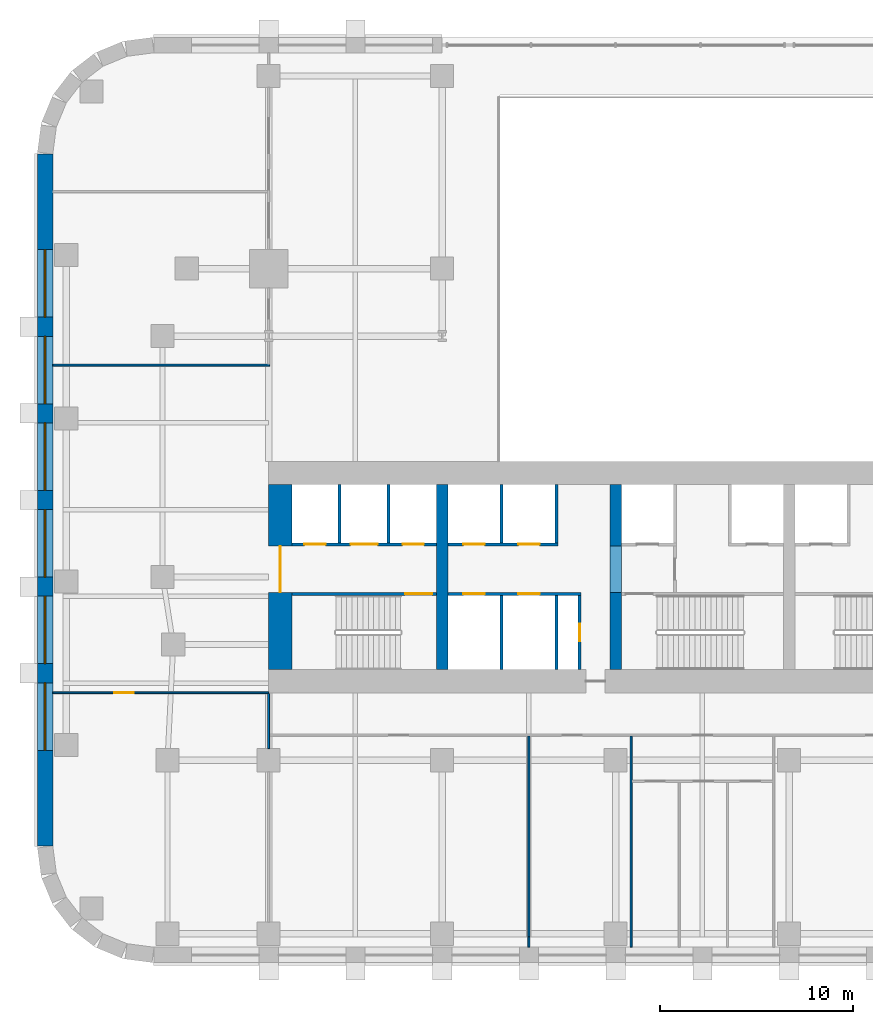
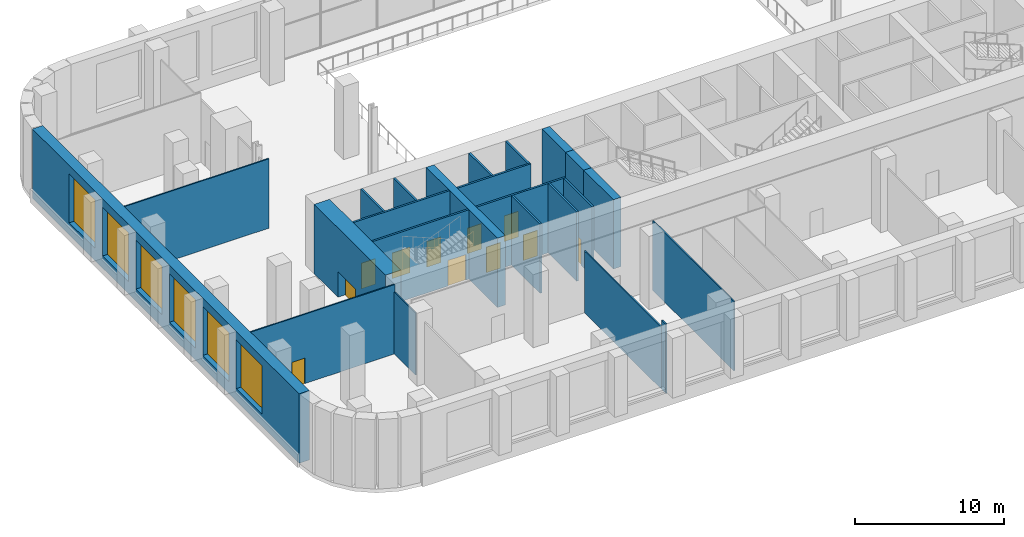
# One storey, part 4 of 13: 23 walls, 11 doors, 6 windows, 17 openings.
"""IFC4 building model written with IfcOpenShell, lengths in metres."""

from ifc_helpers import new_model, si_unit, direction, frame, frame_2d, origin, place, context, subcontext, project, spatial, rectangle, extrude, material, layer, layer_set, type_object, element, fill, save


model = new_model("IFC4")

# Units and contexts
model_context = context("Model", 3, precision=1e-05, world=origin(), true_north=direction((0.0, 1.0)))
body_context = subcontext(model_context, "Body", "Model", "MODEL_VIEW")
ifc_project = project(units=[si_unit("LENGTHUNIT", "METRE"), si_unit("AREAUNIT", "SQUARE_METRE"), si_unit("VOLUMEUNIT", "CUBIC_METRE"), si_unit("PLANEANGLEUNIT", "RADIAN"), si_unit("MASSUNIT", "GRAM", prefix="KILO")], contexts=[model_context])

# Site, building, storey
site_placement = place(None, origin())
site = spatial("IfcSite", under=ifc_project, at=site_placement, CompositionType="ELEMENT")
building_placement = place(site_placement, origin())
building = spatial("IfcBuilding", under=site, at=building_placement, Name="Zellij Exchange Tower", CompositionType="ELEMENT")
storey_placement = place(building_placement, frame((0.0, 0.0, 15.0)))
storey = spatial("IfcBuildingStorey", under=building, at=storey_placement, Name="L02", CompositionType="ELEMENT", Elevation=15.0)

# Walls
ifc_material_1 = material(Name="Concrete C70/85", Category="concrete")
ifc_layer_1 = layer(ifc_material_1, 0.60009765625)
ifc_layer_set_1 = layer_set([ifc_layer_1], Name="Concrete C70/85")
wall_type_1 = type_object("IfcWallType", Name="CORE-CW 600 C70/85", PredefinedType="SHEAR", material=ifc_layer_set_1)
wall_1_placement = place(storey_placement, frame((-18.0, -12.800048828125, 0.0), z_axis=(0.0, 0.0, 1.0), x_axis=(0.0, 1.0, 0.0)))
element("IfcWall", 1, at=wall_1_placement, inside=storey, type_object=wall_type_1, Name="Core cross wall x -18 L02", PredefinedType="SHEAR", context=body_context, shape_type="SweptSolid", body=[
    extrude(rectangle(XDim=9.60009765625, YDim=0.60009765625, at=frame_2d((4.800048828125, 0.0))), origin(), (0.0, 0.0, 1.0), 5.699951171875),
])
wall_2_placement = place(storey_placement, frame((-9.0, -12.800048828125, 0.0), z_axis=(0.0, 0.0, 1.0), x_axis=(0.0, 1.0, 0.0)))
element("IfcWall", 2, at=wall_2_placement, inside=storey, type_object=wall_type_1, Name="Core cross wall pier x -9 a L02", PredefinedType="SHEAR", context=body_context, shape_type="SweptSolid", body=[
    extrude(rectangle(XDim=4.0, YDim=0.60009765625, at=frame_2d((2.0, 0.0))), origin(), (0.0, 0.0, 1.0), 5.699951171875),
])
wall_3_placement = place(storey_placement, frame((-9.0, -6.375, 0.0), z_axis=(0.0, 0.0, 1.0), x_axis=(0.0, 1.0, 0.0)))
element("IfcWall", 3, at=wall_3_placement, inside=storey, type_object=wall_type_1, Name="Core cross wall pier x -9 b L02", PredefinedType="SHEAR", context=body_context, shape_type="SweptSolid", body=[
    extrude(rectangle(XDim=3.175048828125, YDim=0.60009765625, at=frame_2d((1.58740234375, 0.0))), origin(), (0.0, 0.0, 1.0), 5.699951171875),
])
wall_4_placement = place(storey_placement, frame((-9.0, -8.800048828125, 3.60009765625), z_axis=(0.0, 0.0, 1.0), x_axis=(0.0, 1.0, 0.0)))
element("IfcWall", 4, at=wall_4_placement, inside=storey, type_object=wall_type_1, Name="Core cross wall over opening x -9 L02", PredefinedType="SHEAR", context=body_context, shape_type="SweptSolid", body=[
    extrude(rectangle(XDim=2.425048828125, YDim=0.60009765625, at=frame_2d((1.21240234375, 0.0))), origin(), (0.0, 0.0, 1.0), 2.099853515625),
])

# Wall, opening, door
ifc_material_2 = material(Name="Gypsum board partition")
ifc_layer_2 = layer(ifc_material_2, 0.14990234375)
ifc_layer_set_2 = layer_set([ifc_layer_2], Name="Gypsum board partition")
wall_type_2 = type_object("IfcWallType", Name="CORE-PW 150 Lift lobby wall", PredefinedType="PARTITIONING", material=ifc_layer_set_2)
wall_5_placement = place(storey_placement, frame((-10.875, -12.800048828125, 0.0), z_axis=(0.0, 0.0, 1.0), x_axis=(0.0, 1.0, 0.0)))
wall_5 = element("IfcWall", 5, at=wall_5_placement, inside=storey, type_object=wall_type_2, Name="Lift lobby wall L02", PredefinedType="PARTITIONING", context=body_context, shape_type="SweptSolid", body=[
    extrude(rectangle(XDim=3.85009765625, YDim=0.14990234375, at=frame_2d((1.925048828125, 0.0))), origin(), (0.0, 0.0, 1.0), 5.699951171875),
])
opening_1_placement = place(wall_5_placement, frame((1.47509765625, 0.0, 0.0)))
opening_1 = element("IfcOpeningElement", 6, at=opening_1_placement, cuts=wall_5, Name="Opening CA-04.10", PredefinedType="OPENING", context=body_context, shape_type="SweptSolid", body=[
    extrude(rectangle(XDim=0.89990234375, YDim=2.10009765625, at=frame_2d((0.449951171875, 1.050048828125))), frame((0.0, 0.0869140625, 0.0), z_axis=(0.0, -1.0, 0.0), x_axis=(1.0, 0.0, 0.0)), (0.0, 0.0, 1.0), 0.173828125),
])
ifc_material_3 = material(Name="Hollow metal fire door")
door_type_1 = type_object("IfcDoorType", Name="CORE-D RD Riser door 900x2100 1.5 HR", OperationType="NOTDEFINED", PredefinedType="DOOR", material=ifc_material_3)
door_1_placement = place(opening_1_placement, origin())
door_1 = element("IfcDoor", 7, at=door_1_placement, inside=storey, type_object=door_type_1, Name="Riser door CA-04.10", OperationType="SINGLE_SWING_RIGHT", OverallHeight=2.10009765625, OverallWidth=0.89990234375, PredefinedType="DOOR", context=body_context, shape_type="SweptSolid", body=[
    extrude(rectangle(XDim=0.89990234375, YDim=2.10009765625, at=frame_2d((0.449951171875, 1.050048828125))), frame((0.0, 0.02490234375, 0.0), z_axis=(0.0, -1.0, 0.0), x_axis=(1.0, 0.0, 0.0)), (0.0, 0.0, 1.0), 0.050048828125),
])
fill(opening_1, door_1)

# Walls
ifc_material_4 = material(Name="Gypsum shaft wall system")
ifc_layer_3 = layer(ifc_material_4, 0.14990234375)
ifc_layer_set_3 = layer_set([ifc_layer_3], Name="Gypsum shaft wall system")
wall_type_3 = type_object("IfcWallType", Name="CORE-PW 150 Lift shaft wall", PredefinedType="PARTITIONING", material=ifc_layer_set_3)
for number, where, z_axis, x_axis, name in (
    (8, (-20.77490234375, -6.22509765625, 0.0), (0.0, 0.0, 1.0), (0.0, 1.0, 0.0), "Lift shaft wall L02"),
    (9, (-23.324951171875, -6.22509765625, 0.0), (0.0, 0.0, 1.0), (0.0, 1.0, 0.0), "Lift shaft wall L02"),
    (10, (-12.074951171875, -6.22509765625, 0.0), (0.0, 0.0, 1.0), (0.0, 1.0, 0.0), "Lift shaft wall L02"),
    (11, (-14.925048828125, -6.22509765625, 0.0), (0.0, 0.0, 1.0), (0.0, 1.0, 0.0), "Lift shaft wall L02"),
):
    element("IfcWall", number, at=place(storey_placement, frame(where, z_axis=z_axis, x_axis=x_axis)), inside=storey, type_object=wall_type_3, Name=name, PredefinedType="PARTITIONING", context=body_context, shape_type="SweptSolid", body=[
        extrude(rectangle(XDim=3.025146484375, YDim=0.14990234375, at=frame_2d((1.5126953125, 0.0))), origin(), (0.0, 0.0, 1.0), 5.699951171875),
    ])
for number, where, z_axis, x_axis, name in (
    (12, (-12.074951171875, -12.800048828125, 0.0), (0.0, 0.0, 1.0), (0.0, 1.0, 0.0), "Lift shaft wall L02"),
    (13, (-14.925048828125, -12.800048828125, 0.0), (0.0, 0.0, 1.0), (0.0, 1.0, 0.0), "Lift shaft wall L02"),
):
    element("IfcWall", number, at=place(storey_placement, frame(where, z_axis=z_axis, x_axis=x_axis)), inside=storey, type_object=wall_type_3, Name=name, PredefinedType="PARTITIONING", context=body_context, shape_type="SweptSolid", body=[
        extrude(rectangle(XDim=3.85009765625, YDim=0.14990234375, at=frame_2d((1.925048828125, 0.0))), origin(), (0.0, 0.0, 1.0), 5.699951171875),
    ])

# Wall, openings, doors
wall_6_placement = place(storey_placement, frame((-25.800048828125, -6.300048828125, 0.0), z_axis=(0.0, 0.0, 1.0), x_axis=(1.0, 0.0, 0.0)))
wall_6 = element("IfcWall", 14, at=wall_6_placement, inside=storey, type_object=wall_type_3, Name="Lift shaft wall L02", PredefinedType="PARTITIONING", context=body_context, shape_type="SweptSolid", body=[
    extrude(rectangle(XDim=7.5, YDim=0.14990234375, at=frame_2d((3.75, 0.0))), origin(), (0.0, 0.0, 1.0), 5.699951171875),
])
opening_2_placement = place(wall_6_placement, frame((0.64990234375, 0.0, 0.0)))
opening_2 = element("IfcOpeningElement", 15, at=opening_2_placement, cuts=wall_6, Name="Opening CA-04.02", PredefinedType="OPENING", context=body_context, shape_type="SweptSolid", body=[
    extrude(rectangle(XDim=1.10009765625, YDim=2.10009765625, at=frame_2d((0.550048828125, 1.050048828125))), frame((0.0, 0.0869140625, 0.0), z_axis=(0.0, -1.0, 0.0), x_axis=(1.0, 0.0, 0.0)), (0.0, 0.0, 1.0), 0.173828125),
])
opening_3_placement = place(wall_6_placement, frame((3.050048828125, 0.0, 0.0)))
opening_3 = element("IfcOpeningElement", 16, at=opening_3_placement, cuts=wall_6, Name="Opening CA-04.03", PredefinedType="OPENING", context=body_context, shape_type="SweptSolid", body=[
    extrude(rectangle(XDim=1.39990234375, YDim=2.10009765625, at=frame_2d((0.699951171875, 1.050048828125))), frame((0.0, 0.0869140625, 0.0), z_axis=(0.0, -1.0, 0.0), x_axis=(1.0, 0.0, 0.0)), (0.0, 0.0, 1.0), 0.173828125),
])
opening_4_placement = place(wall_6_placement, frame((5.75, 0.0, 0.0)))
opening_4 = element("IfcOpeningElement", 17, at=opening_4_placement, cuts=wall_6, Name="Opening CA-04.04", PredefinedType="OPENING", context=body_context, shape_type="SweptSolid", body=[
    extrude(rectangle(XDim=1.10009765625, YDim=2.10009765625, at=frame_2d((0.550048828125, 1.050048828125))), frame((0.0, 0.0869140625, 0.0), z_axis=(0.0, -1.0, 0.0), x_axis=(1.0, 0.0, 0.0)), (0.0, 0.0, 1.0), 0.173828125),
])
door_type_2 = type_object("IfcDoorType", Name="CORE-D LD Lift landing door 1100x2100 1.5 HR", OperationType="NOTDEFINED", PredefinedType="DOOR", material=ifc_material_3)
door_2_placement = place(opening_2_placement, origin())
door_2 = element("IfcDoor", 18, at=door_2_placement, inside=storey, type_object=door_type_2, Name="Lift landing door CA-04.02", OperationType="SLIDING_TO_RIGHT", OverallHeight=2.10009765625, OverallWidth=1.10009765625, PredefinedType="DOOR", context=body_context, shape_type="SweptSolid", body=[
    extrude(rectangle(XDim=1.10009765625, YDim=2.10009765625, at=frame_2d((0.550048828125, 1.050048828125))), frame((0.0, 0.02490234375, 0.0), z_axis=(0.0, -1.0, 0.0), x_axis=(1.0, 0.0, 0.0)), (0.0, 0.0, 1.0), 0.050048828125),
])
fill(opening_2, door_2)
door_3_placement = place(opening_4_placement, origin())
door_3 = element("IfcDoor", 19, at=door_3_placement, inside=storey, type_object=door_type_2, Name="Lift landing door CA-04.04", OperationType="SLIDING_TO_RIGHT", OverallHeight=2.10009765625, OverallWidth=1.10009765625, PredefinedType="DOOR", context=body_context, shape_type="SweptSolid", body=[
    extrude(rectangle(XDim=1.10009765625, YDim=2.10009765625, at=frame_2d((0.550048828125, 1.050048828125))), frame((0.0, 0.02490234375, 0.0), z_axis=(0.0, -1.0, 0.0), x_axis=(1.0, 0.0, 0.0)), (0.0, 0.0, 1.0), 0.050048828125),
])
fill(opening_4, door_3)
door_type_3 = type_object("IfcDoorType", Name="CORE-D LD2 Service lift landing door 1400x2100 1.5 HR", OperationType="NOTDEFINED", PredefinedType="DOOR", material=ifc_material_3)
door_4_placement = place(opening_3_placement, origin())
door_4 = element("IfcDoor", 20, at=door_4_placement, inside=storey, type_object=door_type_3, Name="Service lift landing door CA-04.03", OperationType="SLIDING_TO_LEFT", OverallHeight=2.10009765625, OverallWidth=1.39990234375, PredefinedType="DOOR", context=body_context, shape_type="SweptSolid", body=[
    extrude(rectangle(XDim=1.39990234375, YDim=2.10009765625, at=frame_2d((0.699951171875, 1.050048828125))), frame((0.0, 0.02490234375, 0.0), z_axis=(0.0, -1.0, 0.0), x_axis=(1.0, 0.0, 0.0)), (0.0, 0.0, 1.0), 0.050048828125),
])
fill(opening_3, door_4)

wall_7_placement = place(storey_placement, frame((-17.699951171875, -6.300048828125, 0.0), z_axis=(0.0, 0.0, 1.0), x_axis=(1.0, 0.0, 0.0)))
wall_7 = element("IfcWall", 21, at=wall_7_placement, inside=storey, type_object=wall_type_3, Name="Lift shaft wall L02", PredefinedType="PARTITIONING", context=body_context, shape_type="SweptSolid", body=[
    extrude(rectangle(XDim=5.699951171875, YDim=0.14990234375, at=frame_2d((2.85009765625, 0.0))), origin(), (0.0, 0.0, 1.0), 5.699951171875),
])
opening_5_placement = place(wall_7_placement, frame((0.800048828125, 0.0, 0.0)))
opening_5 = element("IfcOpeningElement", 22, at=opening_5_placement, cuts=wall_7, Name="Opening CA-04.07", PredefinedType="OPENING", context=body_context, shape_type="SweptSolid", body=[
    extrude(rectangle(XDim=1.10009765625, YDim=2.10009765625, at=frame_2d((0.550048828125, 1.050048828125))), frame((0.0, 0.0869140625, 0.0), z_axis=(0.0, -1.0, 0.0), x_axis=(1.0, 0.0, 0.0)), (0.0, 0.0, 1.0), 0.173828125),
])
opening_6_placement = place(wall_7_placement, frame((3.64990234375, 0.0, 0.0)))
opening_6 = element("IfcOpeningElement", 23, at=opening_6_placement, cuts=wall_7, Name="Opening CA-04.09", PredefinedType="OPENING", context=body_context, shape_type="SweptSolid", body=[
    extrude(rectangle(XDim=1.10009765625, YDim=2.10009765625, at=frame_2d((0.550048828125, 1.050048828125))), frame((0.0, 0.0869140625, 0.0), z_axis=(0.0, -1.0, 0.0), x_axis=(1.0, 0.0, 0.0)), (0.0, 0.0, 1.0), 0.173828125),
])
door_5_placement = place(opening_5_placement, origin())
door_5 = element("IfcDoor", 24, at=door_5_placement, inside=storey, type_object=door_type_2, Name="Lift landing door CA-04.07", OperationType="SLIDING_TO_LEFT", OverallHeight=2.10009765625, OverallWidth=1.10009765625, PredefinedType="DOOR", context=body_context, shape_type="SweptSolid", body=[
    extrude(rectangle(XDim=1.10009765625, YDim=2.10009765625, at=frame_2d((0.550048828125, 1.050048828125))), frame((0.0, 0.02490234375, 0.0), z_axis=(0.0, -1.0, 0.0), x_axis=(1.0, 0.0, 0.0)), (0.0, 0.0, 1.0), 0.050048828125),
])
fill(opening_5, door_5)
door_6_placement = place(opening_6_placement, origin())
door_6 = element("IfcDoor", 25, at=door_6_placement, inside=storey, type_object=door_type_2, Name="Lift landing door CA-04.09", OperationType="SLIDING_TO_LEFT", OverallHeight=2.10009765625, OverallWidth=1.10009765625, PredefinedType="DOOR", context=body_context, shape_type="SweptSolid", body=[
    extrude(rectangle(XDim=1.10009765625, YDim=2.10009765625, at=frame_2d((0.550048828125, 1.050048828125))), frame((0.0, 0.02490234375, 0.0), z_axis=(0.0, -1.0, 0.0), x_axis=(1.0, 0.0, 0.0)), (0.0, 0.0, 1.0), 0.050048828125),
])
fill(opening_6, door_6)

wall_8_placement = place(storey_placement, frame((-17.699951171875, -8.875, 0.0), z_axis=(0.0, 0.0, 1.0), x_axis=(1.0, 0.0, 0.0)))
wall_8 = element("IfcWall", 26, at=wall_8_placement, inside=storey, type_object=wall_type_3, Name="Lift shaft wall L02", PredefinedType="PARTITIONING", context=body_context, shape_type="SweptSolid", body=[
    extrude(rectangle(XDim=6.89990234375, YDim=0.14990234375, at=frame_2d((3.449951171875, 0.0))), origin(), (0.0, 0.0, 1.0), 5.699951171875),
])
opening_7_placement = place(wall_8_placement, frame((0.800048828125, 0.0, 0.0)))
opening_7 = element("IfcOpeningElement", 27, at=opening_7_placement, cuts=wall_8, Name="Opening CA-04.06", PredefinedType="OPENING", context=body_context, shape_type="SweptSolid", body=[
    extrude(rectangle(XDim=1.10009765625, YDim=2.10009765625, at=frame_2d((0.550048828125, 1.050048828125))), frame((0.0, 0.0869140625, 0.0), z_axis=(0.0, -1.0, 0.0), x_axis=(1.0, 0.0, 0.0)), (0.0, 0.0, 1.0), 0.173828125),
])
opening_8_placement = place(wall_8_placement, frame((3.64990234375, 0.0, 0.0)))
opening_8 = element("IfcOpeningElement", 28, at=opening_8_placement, cuts=wall_8, Name="Opening CA-04.08", PredefinedType="OPENING", context=body_context, shape_type="SweptSolid", body=[
    extrude(rectangle(XDim=1.10009765625, YDim=2.10009765625, at=frame_2d((0.550048828125, 1.050048828125))), frame((0.0, 0.0869140625, 0.0), z_axis=(0.0, -1.0, 0.0), x_axis=(1.0, 0.0, 0.0)), (0.0, 0.0, 1.0), 0.173828125),
])
door_7_placement = place(opening_7_placement, origin())
door_7 = element("IfcDoor", 29, at=door_7_placement, inside=storey, type_object=door_type_2, Name="Lift landing door CA-04.06", OperationType="SLIDING_TO_RIGHT", OverallHeight=2.10009765625, OverallWidth=1.10009765625, PredefinedType="DOOR", context=body_context, shape_type="SweptSolid", body=[
    extrude(rectangle(XDim=1.10009765625, YDim=2.10009765625, at=frame_2d((0.550048828125, 1.050048828125))), frame((0.0, 0.02490234375, 0.0), z_axis=(0.0, -1.0, 0.0), x_axis=(1.0, 0.0, 0.0)), (0.0, 0.0, 1.0), 0.050048828125),
])
fill(opening_7, door_7)
door_8_placement = place(opening_8_placement, origin())
door_8 = element("IfcDoor", 30, at=door_8_placement, inside=storey, type_object=door_type_2, Name="Lift landing door CA-04.08", OperationType="SLIDING_TO_RIGHT", OverallHeight=2.10009765625, OverallWidth=1.10009765625, PredefinedType="DOOR", context=body_context, shape_type="SweptSolid", body=[
    extrude(rectangle(XDim=1.10009765625, YDim=2.10009765625, at=frame_2d((0.550048828125, 1.050048828125))), frame((0.0, 0.02490234375, 0.0), z_axis=(0.0, -1.0, 0.0), x_axis=(1.0, 0.0, 0.0)), (0.0, 0.0, 1.0), 0.050048828125),
])
fill(opening_8, door_8)

# Wall, opening, door
ifc_layer_4 = layer(ifc_material_1, 1.199951171875)
ifc_layer_set_4 = layer_set([ifc_layer_4], Name="Concrete C70/85")
wall_type_4 = type_object("IfcWallType", Name="CORE-SW 1200 C70/85", PredefinedType="SHEAR", material=ifc_layer_set_4)
wall_9_placement = place(storey_placement, frame((-26.39990234375, -12.800048828125, 0.0), z_axis=(0.0, 0.0, 1.0), x_axis=(0.0, 1.0, 0.0)))
wall_9 = element("IfcWall", 31, at=wall_9_placement, inside=storey, type_object=wall_type_4, Name="Core shear wall end w L02", PredefinedType="SHEAR", context=body_context, shape_type="SweptSolid", body=[
    extrude(rectangle(XDim=9.60009765625, YDim=1.199951171875, at=frame_2d((4.800048828125, 0.0))), origin(), (0.0, 0.0, 1.0), 5.699951171875),
])
opening_9_placement = place(wall_9_placement, frame((4.011962890625, 0.0, 0.0)))
opening_9 = element("IfcOpeningElement", 32, at=opening_9_placement, cuts=wall_9, Name="Opening CA-04.01", PredefinedType="OPENING", context=body_context, shape_type="SweptSolid", body=[
    extrude(rectangle(XDim=2.39990234375, YDim=2.10009765625, at=frame_2d((1.199951171875, 1.050048828125))), frame((0.0, 0.61181640625, 0.0), z_axis=(0.0, -1.0, 0.0), x_axis=(1.0, 0.0, 0.0)), (0.0, 0.0, 1.0), 1.223876953125),
])
door_type_4 = type_object("IfcDoorType", Name="CORE-D CE Core entrance door 2400x2100 20 MIN", OperationType="NOTDEFINED", PredefinedType="DOOR", material=ifc_material_3)
door_9_placement = place(opening_9_placement, origin())
door_9 = element("IfcDoor", 33, at=door_9_placement, inside=storey, type_object=door_type_4, Name="Core entrance door CA-04.01", OperationType="DOUBLE_DOOR_SINGLE_SWING", OverallHeight=2.10009765625, OverallWidth=2.39990234375, PredefinedType="DOOR", context=body_context, shape_type="SweptSolid", body=[
    extrude(rectangle(XDim=2.39990234375, YDim=2.10009765625, at=frame_2d((1.199951171875, 1.050048828125))), frame((0.0, 0.02490234375, 0.0), z_axis=(0.0, -1.0, 0.0), x_axis=(1.0, 0.0, 0.0)), (0.0, 0.0, 1.0), 0.050048828125),
])
fill(opening_9, door_9)

ifc_layer_5 = layer(ifc_material_1, 0.14990234375)
ifc_layer_set_5 = layer_set([ifc_layer_5], Name="Concrete C70/85")
wall_type_5 = type_object("IfcWallType", Name="CORE-SWS 150 C70/85", PredefinedType="SHEAR", material=ifc_layer_set_5)
wall_10_placement = place(storey_placement, frame((-25.800048828125, -8.875, 0.0), z_axis=(0.0, 0.0, 1.0), x_axis=(1.0, 0.0, 0.0)))
wall_10 = element("IfcWall", 34, at=wall_10_placement, inside=storey, type_object=wall_type_5, Name="Stair enclosure wall L02", PredefinedType="SHEAR", context=body_context, shape_type="SweptSolid", body=[
    extrude(rectangle(XDim=7.5, YDim=0.14990234375, at=frame_2d((3.75, 0.0))), origin(), (0.0, 0.0, 1.0), 5.699951171875),
])
opening_10_placement = place(wall_10_placement, frame((5.875, 0.0, 0.0)))
opening_10 = element("IfcOpeningElement", 35, at=opening_10_placement, cuts=wall_10, Name="Opening CA-04.05", PredefinedType="OPENING", context=body_context, shape_type="SweptSolid", body=[
    extrude(rectangle(XDim=1.39990234375, YDim=2.10009765625, at=frame_2d((0.699951171875, 1.050048828125))), frame((0.0, 0.0869140625, 0.0), z_axis=(0.0, -1.0, 0.0), x_axis=(1.0, 0.0, 0.0)), (0.0, 0.0, 1.0), 0.173828125),
])
door_type_5 = type_object("IfcDoorType", Name="CORE-D SD Stair door 1400x2100 1.5 HR", OperationType="NOTDEFINED", PredefinedType="DOOR", material=ifc_material_3)
door_10_placement = place(opening_10_placement, origin())
door_10 = element("IfcDoor", 36, at=door_10_placement, inside=storey, type_object=door_type_5, Name="Stair door CA-04.05", OperationType="DOUBLE_DOOR_SINGLE_SWING", OverallHeight=2.10009765625, OverallWidth=1.39990234375, PredefinedType="DOOR", context=body_context, shape_type="SweptSolid", body=[
    extrude(rectangle(XDim=1.39990234375, YDim=2.10009765625, at=frame_2d((0.699951171875, 1.050048828125))), frame((0.0, 0.02490234375, 0.0), z_axis=(0.0, -1.0, 0.0), x_axis=(1.0, 0.0, 0.0)), (0.0, 0.0, 1.0), 0.050048828125),
])
fill(opening_10, door_10)

# Wall, openings, windows
ifc_material_5 = material(Name="Precast concrete C40/50", Category="concrete")
ifc_layer_6 = layer(ifc_material_5, 0.800048828125)
ifc_layer_set_6 = layer_set([ifc_layer_6], Name="Precast concrete C40/50")
wall_type_6 = type_object("IfcWallType", Name="ENV-EW1 Precast stone-piered wall 800", PredefinedType="SOLIDWALL", material=ifc_layer_set_6)
wall_11_placement = place(storey_placement, frame((-38.60009765625, 13.947509765625, 0.0), z_axis=(0.0, 0.0, 1.0), x_axis=(0.0, -1.0, 0.0)))
wall_11 = element("IfcWall", 37, at=wall_11_placement, inside=storey, type_object=wall_type_6, Name="fac.L02.21", PredefinedType="SOLIDWALL", context=body_context, shape_type="SweptSolid", body=[
    extrude(rectangle(XDim=35.89501953125, YDim=0.800048828125, at=frame_2d((17.947509765625, 0.0))), origin(), (0.0, 0.0, 1.0), 5.699951171875),
])
opening_11_placement = place(wall_11_placement, frame((4.9638671875, 0.0, 1.0)))
opening_11 = element("IfcOpeningElement", 38, at=opening_11_placement, cuts=wall_11, Name="Opening FP.27", PredefinedType="OPENING", context=body_context, shape_type="SweptSolid", body=[
    extrude(rectangle(XDim=3.5, YDim=4.0, at=frame_2d((1.75, 2.0))), frame((0.0, 0.412109375, 0.0), z_axis=(0.0, -1.0, 0.0), x_axis=(1.0, 0.0, 0.0)), (0.0, 0.0, 1.0), 0.823974609375),
])
opening_12_placement = place(wall_11_placement, frame((9.45751953125, 0.0, 1.0)))
opening_12 = element("IfcOpeningElement", 39, at=opening_12_placement, cuts=wall_11, Name="Opening FP.28", PredefinedType="OPENING", context=body_context, shape_type="SweptSolid", body=[
    extrude(rectangle(XDim=3.5, YDim=4.0, at=frame_2d((1.75, 2.0))), frame((0.0, 0.412109375, 0.0), z_axis=(0.0, -1.0, 0.0), x_axis=(1.0, 0.0, 0.0)), (0.0, 0.0, 1.0), 0.823974609375),
])
opening_13_placement = place(wall_11_placement, frame((13.950927734375, 0.0, 1.0)))
opening_13 = element("IfcOpeningElement", 40, at=opening_13_placement, cuts=wall_11, Name="Opening FP.29", PredefinedType="OPENING", context=body_context, shape_type="SweptSolid", body=[
    extrude(rectangle(XDim=3.5, YDim=4.0, at=frame_2d((1.75, 2.0))), frame((0.0, 0.412109375, 0.0), z_axis=(0.0, -1.0, 0.0), x_axis=(1.0, 0.0, 0.0)), (0.0, 0.0, 1.0), 0.823974609375),
])
opening_14_placement = place(wall_11_placement, frame((18.4443359375, 0.0, 1.0)))
opening_14 = element("IfcOpeningElement", 41, at=opening_14_placement, cuts=wall_11, Name="Opening FP.30", PredefinedType="OPENING", context=body_context, shape_type="SweptSolid", body=[
    extrude(rectangle(XDim=3.5, YDim=4.0, at=frame_2d((1.75, 2.0))), frame((0.0, 0.412109375, 0.0), z_axis=(0.0, -1.0, 0.0), x_axis=(1.0, 0.0, 0.0)), (0.0, 0.0, 1.0), 0.823974609375),
])
opening_15_placement = place(wall_11_placement, frame((22.937744140625, 0.0, 1.0)))
opening_15 = element("IfcOpeningElement", 42, at=opening_15_placement, cuts=wall_11, Name="Opening FP.31", PredefinedType="OPENING", context=body_context, shape_type="SweptSolid", body=[
    extrude(rectangle(XDim=3.5, YDim=4.0, at=frame_2d((1.75, 2.0))), frame((0.0, 0.412109375, 0.0), z_axis=(0.0, -1.0, 0.0), x_axis=(1.0, 0.0, 0.0)), (0.0, 0.0, 1.0), 0.823974609375),
])
opening_16_placement = place(wall_11_placement, frame((27.43115234375, 0.0, 1.0)))
opening_16 = element("IfcOpeningElement", 43, at=opening_16_placement, cuts=wall_11, Name="Opening FP.32", PredefinedType="OPENING", context=body_context, shape_type="SweptSolid", body=[
    extrude(rectangle(XDim=3.5, YDim=4.0, at=frame_2d((1.75, 2.0))), frame((0.0, 0.412109375, 0.0), z_axis=(0.0, -1.0, 0.0), x_axis=(1.0, 0.0, 0.0)), (0.0, 0.0, 1.0), 0.823974609375),
])
ifc_material_6 = material(Name="Aluminium frame with insulating glass", Category="aluminium")
window_type = type_object("IfcWindowType", Name="ENV-W2 Window 3500x4000", PartitioningType="SINGLE_PANEL", PredefinedType="WINDOW", material=ifc_material_6)
window_1_placement = place(opening_11_placement, origin())
window_1 = element("IfcWindow", 44, at=window_1_placement, inside=storey, type_object=window_type, Name="Window FP.27", OverallHeight=4.0, OverallWidth=3.5, PartitioningType="SINGLE_PANEL", PredefinedType="WINDOW", context=body_context, shape_type="SweptSolid", body=[
    extrude(rectangle(XDim=3.5, YDim=4.0, at=frame_2d((1.75, 2.0))), frame((0.0, 0.030029296875, 0.0), z_axis=(0.0, -1.0, 0.0), x_axis=(1.0, 0.0, 0.0)), (0.0, 0.0, 1.0), 0.06005859375),
])
fill(opening_11, window_1)
window_2_placement = place(opening_12_placement, origin())
window_2 = element("IfcWindow", 45, at=window_2_placement, inside=storey, type_object=window_type, Name="Window FP.28", OverallHeight=4.0, OverallWidth=3.5, PartitioningType="SINGLE_PANEL", PredefinedType="WINDOW", context=body_context, shape_type="SweptSolid", body=[
    extrude(rectangle(XDim=3.5, YDim=4.0, at=frame_2d((1.75, 2.0))), frame((0.0, 0.030029296875, 0.0), z_axis=(0.0, -1.0, 0.0), x_axis=(1.0, 0.0, 0.0)), (0.0, 0.0, 1.0), 0.06005859375),
])
fill(opening_12, window_2)
window_3_placement = place(opening_13_placement, origin())
window_3 = element("IfcWindow", 46, at=window_3_placement, inside=storey, type_object=window_type, Name="Window FP.29", OverallHeight=4.0, OverallWidth=3.5, PartitioningType="SINGLE_PANEL", PredefinedType="WINDOW", context=body_context, shape_type="SweptSolid", body=[
    extrude(rectangle(XDim=3.5, YDim=4.0, at=frame_2d((1.75, 2.0))), frame((0.0, 0.030029296875, 0.0), z_axis=(0.0, -1.0, 0.0), x_axis=(1.0, 0.0, 0.0)), (0.0, 0.0, 1.0), 0.06005859375),
])
fill(opening_13, window_3)
window_4_placement = place(opening_14_placement, origin())
window_4 = element("IfcWindow", 47, at=window_4_placement, inside=storey, type_object=window_type, Name="Window FP.30", OverallHeight=4.0, OverallWidth=3.5, PartitioningType="SINGLE_PANEL", PredefinedType="WINDOW", context=body_context, shape_type="SweptSolid", body=[
    extrude(rectangle(XDim=3.5, YDim=4.0, at=frame_2d((1.75, 2.0))), frame((0.0, 0.030029296875, 0.0), z_axis=(0.0, -1.0, 0.0), x_axis=(1.0, 0.0, 0.0)), (0.0, 0.0, 1.0), 0.06005859375),
])
fill(opening_14, window_4)
window_5_placement = place(opening_15_placement, origin())
window_5 = element("IfcWindow", 48, at=window_5_placement, inside=storey, type_object=window_type, Name="Window FP.31", OverallHeight=4.0, OverallWidth=3.5, PartitioningType="SINGLE_PANEL", PredefinedType="WINDOW", context=body_context, shape_type="SweptSolid", body=[
    extrude(rectangle(XDim=3.5, YDim=4.0, at=frame_2d((1.75, 2.0))), frame((0.0, 0.030029296875, 0.0), z_axis=(0.0, -1.0, 0.0), x_axis=(1.0, 0.0, 0.0)), (0.0, 0.0, 1.0), 0.06005859375),
])
fill(opening_15, window_5)
window_6_placement = place(opening_16_placement, origin())
window_6 = element("IfcWindow", 49, at=window_6_placement, inside=storey, type_object=window_type, Name="Window FP.32", OverallHeight=4.0, OverallWidth=3.5, PartitioningType="SINGLE_PANEL", PredefinedType="WINDOW", context=body_context, shape_type="SweptSolid", body=[
    extrude(rectangle(XDim=3.5, YDim=4.0, at=frame_2d((1.75, 2.0))), frame((0.0, 0.030029296875, 0.0), z_axis=(0.0, -1.0, 0.0), x_axis=(1.0, 0.0, 0.0)), (0.0, 0.0, 1.0), 0.06005859375),
])
fill(opening_16, window_6)

# Walls
ifc_material_7 = material(Name="Gypsum board partition on steel studs", Category="steel")
ifc_layer_7 = layer(ifc_material_7, 0.10009765625)
ifc_layer_set_7 = layer_set([ifc_layer_7], Name="Gypsum board partition on steel studs")
wall_type_7 = type_object("IfcWallType", Name="FIT-PARTITION-100", PredefinedType="PARTITIONING", material=ifc_layer_set_7)
wall_12_placement = place(storey_placement, frame((-27.0, -16.89990234375, 0.0), z_axis=(0.0, 0.0, 1.0), x_axis=(0.0, 1.0, 0.0)))
element("IfcWall", 50, at=wall_12_placement, inside=storey, type_object=wall_type_7, Name="FIT-PARTITION-100 002", PredefinedType="PARTITIONING", context=body_context, shape_type="SweptSolid", body=[
    extrude(rectangle(XDim=2.849853515625, YDim=0.10009765625, at=frame_2d((1.4248046875, 0.0))), origin(), (0.0, 0.0, 1.0), 5.087890625),
])
wall_13_placement = place(storey_placement, frame((-13.5, -27.199951171875, 0.0), z_axis=(0.0, 0.0, 1.0), x_axis=(0.0, 1.0, 0.0)))
element("IfcWall", 51, at=wall_13_placement, inside=storey, type_object=wall_type_7, Name="FIT-PARTITION-100 003", PredefinedType="PARTITIONING", context=body_context, shape_type="SweptSolid", body=[
    extrude(rectangle(XDim=0.537353515625, YDim=0.10009765625, at=frame_2d((0.2685546875, 0.0))), origin(), (0.0, 0.0, 1.0), 5.699951171875),
])
wall_14_placement = place(storey_placement, frame((-13.5, -26.66259765625, 0.0), z_axis=(0.0, 0.0, 1.0), x_axis=(0.0, 1.0, 0.0)))
element("IfcWall", 52, at=wall_14_placement, inside=storey, type_object=wall_type_7, Name="FIT-PARTITION-100 004", PredefinedType="PARTITIONING", context=body_context, shape_type="SweptSolid", body=[
    extrude(rectangle(XDim=10.41259765625, YDim=0.10009765625, at=frame_2d((5.206298828125, 0.0))), origin(), (0.0, 0.0, 1.0), 5.087890625),
])
wall_15_placement = place(storey_placement, frame((-8.199951171875, -27.199951171875, 0.0), z_axis=(0.0, 0.0, 1.0), x_axis=(0.0, 1.0, 0.0)))
element("IfcWall", 53, at=wall_15_placement, inside=storey, type_object=wall_type_7, Name="FIT-PARTITION-100 005", PredefinedType="PARTITIONING", context=body_context, shape_type="SweptSolid", body=[
    extrude(rectangle(XDim=10.949951171875, YDim=0.10009765625, at=frame_2d((5.47509765625, 0.0))), origin(), (0.0, 0.0, 1.0), 5.699951171875),
])

# Wall, opening, door
wall_16_placement = place(storey_placement, frame((-38.199951171875, -14.0, 0.0), z_axis=(0.0, 0.0, 1.0), x_axis=(1.0, 0.0, 0.0)))
wall_16 = element("IfcWall", 54, at=wall_16_placement, inside=storey, type_object=wall_type_7, Name="FIT-PARTITION-100 017", PredefinedType="PARTITIONING", context=body_context, shape_type="SweptSolid", body=[
    extrude(rectangle(XDim=11.199951171875, YDim=0.10009765625, at=frame_2d((5.60009765625, 0.0))), origin(), (0.0, 0.0, 1.0), 5.699951171875),
])
opening_17_placement = place(wall_16_placement, frame((3.199951171875, 0.0, 0.0)))
opening_17 = element("IfcOpeningElement", 55, at=opening_17_placement, cuts=wall_16, Name="Opening P2.10", PredefinedType="OPENING", context=body_context, shape_type="SweptSolid", body=[
    extrude(rectangle(XDim=1.0, YDim=2.10009765625, at=frame_2d((0.5, 1.050048828125))), frame((0.0, 0.06201171875, 0.0), z_axis=(0.0, -1.0, 0.0), x_axis=(1.0, 0.0, 0.0)), (0.0, 0.0, 1.0), 0.1240234375),
])
ifc_material_8 = material(Name="Timber door set", Category="wood")
door_type_6 = type_object("IfcDoorType", Name="FIT-D2-WIDE-1000X2100", OperationType="SINGLE_SWING_LEFT", PredefinedType="DOOR", material=ifc_material_8)
door_11_placement = place(opening_17_placement, origin())
door_11 = element("IfcDoor", 56, at=door_11_placement, inside=storey, type_object=door_type_6, Name="Door P2.10", OperationType="SINGLE_SWING_RIGHT", OverallHeight=2.10009765625, OverallWidth=1.0, PredefinedType="DOOR", context=body_context, shape_type="SweptSolid", body=[
    extrude(rectangle(XDim=1.0, YDim=2.10009765625, at=frame_2d((0.5, 1.050048828125))), frame((0.0, 0.02490234375, 0.0), z_axis=(0.0, -1.0, 0.0), x_axis=(1.0, 0.0, 0.0)), (0.0, 0.0, 1.0), 0.050048828125),
])
fill(opening_17, door_11)

# Wall
wall_17_placement = place(storey_placement, frame((-38.199951171875, 3.0, 0.0), z_axis=(0.0, 0.0, 1.0), x_axis=(1.0, 0.0, 0.0)))
element("IfcWall", 57, at=wall_17_placement, inside=storey, type_object=wall_type_7, Name="FIT-PARTITION-100 019", PredefinedType="PARTITIONING", context=body_context, shape_type="SweptSolid", body=[
    extrude(rectangle(XDim=11.25, YDim=0.10009765625, at=frame_2d((5.625, 0.0))), origin(), (0.0, 0.0, 1.0), 5.699951171875),
])

save(model, "model.ifc")
